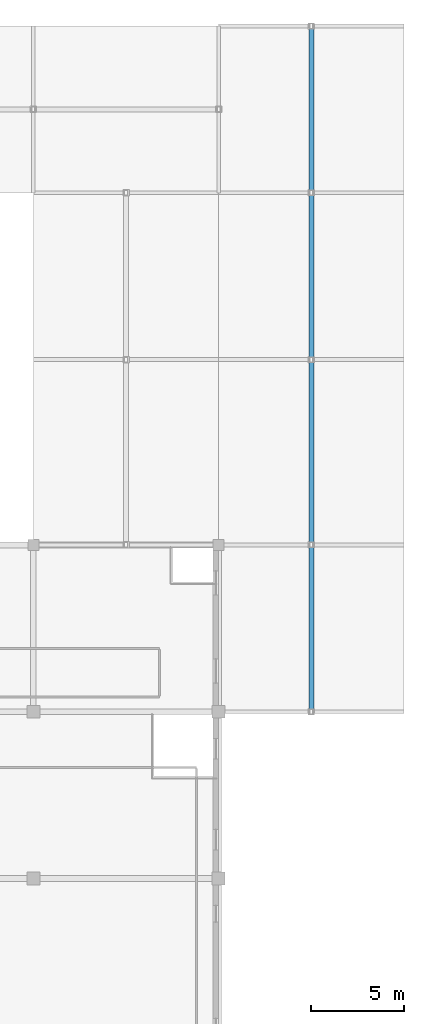
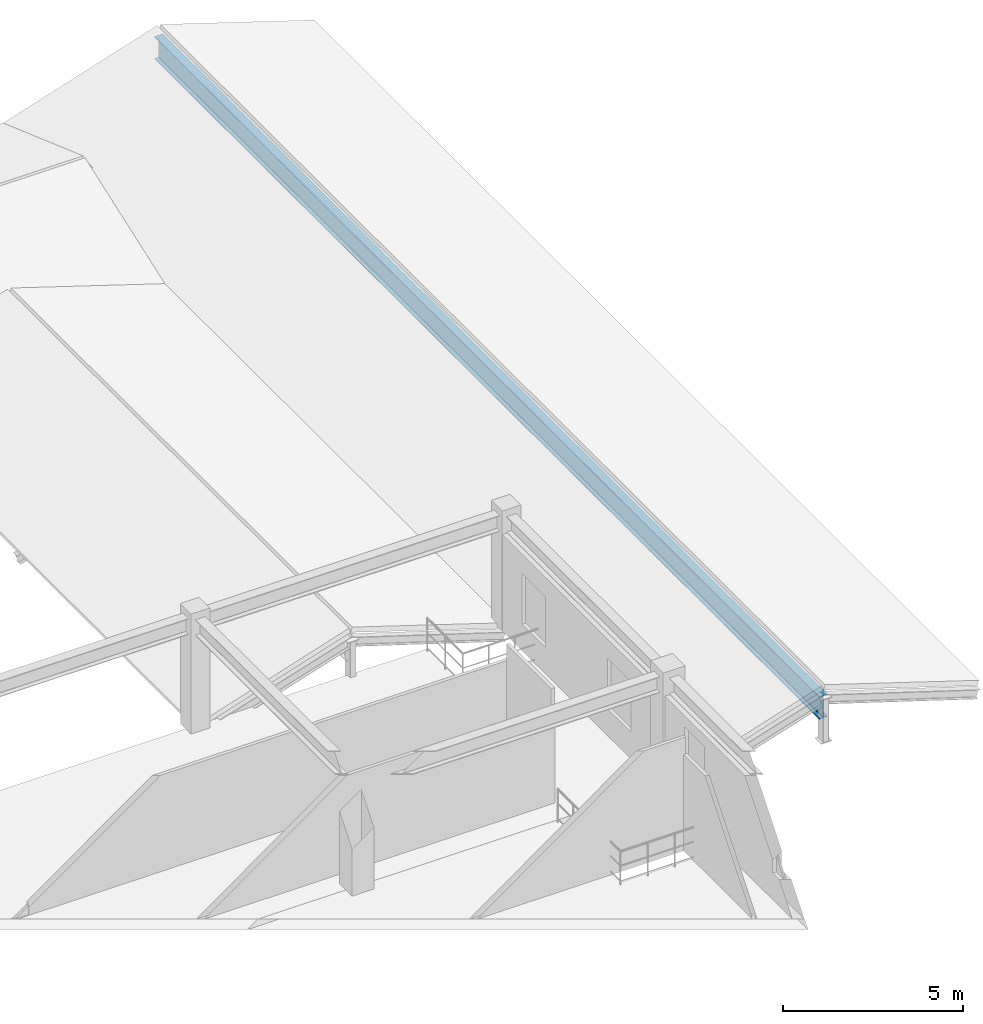
# One storey, part 77 of 110: 1 beam.
"""IFC4 building model written with IfcOpenShell, lengths in metres."""

from ifc_helpers import new_model, si_unit, direction, frame, origin, origin_2d, place, context, subcontext, project, spatial, i_section, extrude, material, material_profile, profile_set, type_object, element, save


model = new_model("IFC4")

# Units and contexts
model_context = context("Model", 3, precision=1e-05, world=origin(), true_north=direction((0.0, 1.0)))
body_context = subcontext(model_context, "Body", "Model", "MODEL_VIEW")
ifc_project = project(units=[si_unit("LENGTHUNIT", "METRE"), si_unit("AREAUNIT", "SQUARE_METRE"), si_unit("VOLUMEUNIT", "CUBIC_METRE"), si_unit("PLANEANGLEUNIT", "RADIAN"), si_unit("MASSUNIT", "GRAM", prefix="KILO")], contexts=[model_context])

# Site, building, storey
site_placement = place(None, origin())
site = spatial("IfcSite", under=ifc_project, at=site_placement, CompositionType="ELEMENT")
building_placement = place(site_placement, origin())
building = spatial("IfcBuilding", under=site, at=building_placement, Name="Miravela Opera House", CompositionType="ELEMENT")
storey_placement = place(building_placement, frame((0.0, 0.0, 13.60009765625)))
storey = spatial("IfcBuildingStorey", under=building, at=storey_placement, Name="L03", CompositionType="ELEMENT", Elevation=13.60009765625)

# Beam
ifc_material = material(Name="Structural steel ASTM A992 Gr. 50", Category="steel")
ifc_material_profile = material_profile(ifc_material, i_section(OverallWidth=0.26806640625, OverallDepth=0.77001953125, WebThickness=0.015625, FlangeThickness=0.025390625, FilletRadius=0.02001953125, at=origin_2d()), Name="W760X196")
ifc_profile_set = profile_set([ifc_material_profile])
beam_type = type_object("IfcBeamType", Name="STR-BM-W760X196", PredefinedType="BEAM", material=ifc_profile_set)
beam_placement = place(storey_placement, frame((159.0, 75.0, 0.85498046875), z_axis=(0.0, 1.0, 0.0), x_axis=(-1.0, 0.0, 0.0)))
element("IfcBeam", 1, at=beam_placement, inside=storey, type_object=beam_type, Name="Clay Tile Roof Ridge Beam ROOF-V3-FAR-E", PredefinedType="BEAM", context=body_context, shape_type="SweptSolid", body=[
    extrude(i_section(OverallWidth=0.26806640625, OverallDepth=0.77001953125, WebThickness=0.015625, FlangeThickness=0.025390625, FilletRadius=0.02001953125, at=origin_2d()), origin(), (0.0, 0.0, 1.0), 37.0),
])

save(model, "model.ifc")
